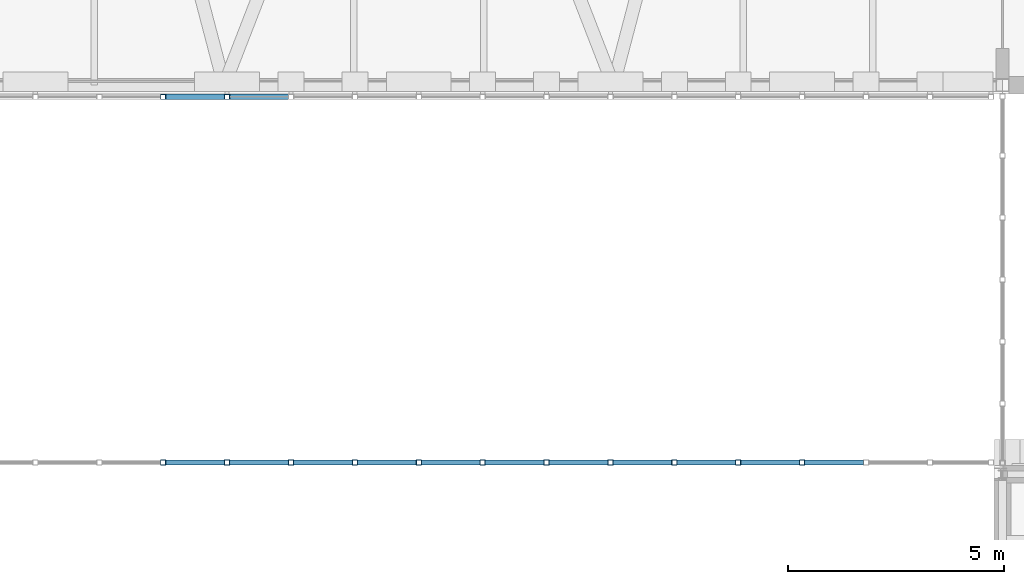
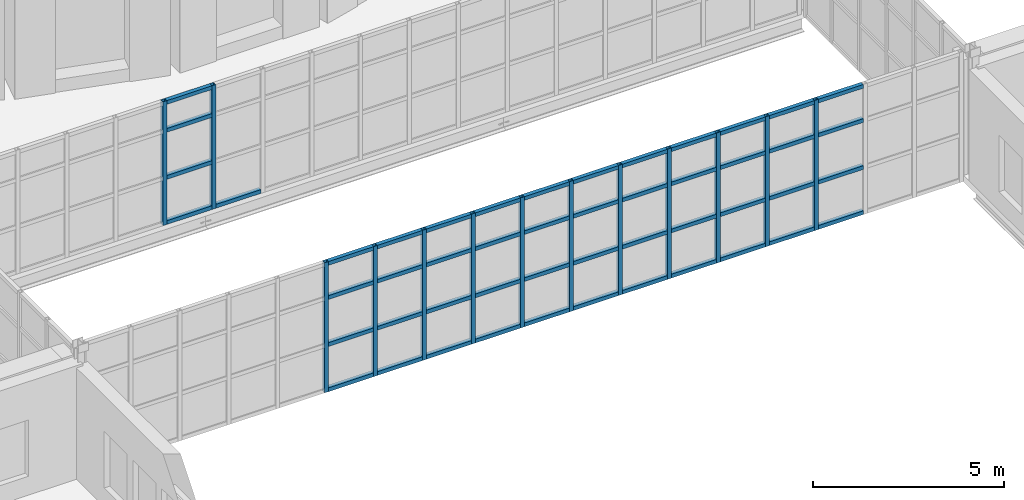
# One storey, part 42 of 154: 62 members, 2 elements without a shape of their own.
"""IFC4 building model written with IfcOpenShell, lengths in metres."""

from ifc_helpers import new_model, si_unit, direction, frame, origin, origin_2d, place, context, subcontext, project, spatial, hollow_rectangle, extrude, material, material_profile, profile_set, type_object, element, aggregate, save


model = new_model("IFC4")

# Units and contexts
model_context = context("Model", 3, precision=1e-05, world=origin(), true_north=direction((0.0, 1.0)))
body_context = subcontext(model_context, "Body", "Model", "MODEL_VIEW")
ifc_project = project(units=[si_unit("LENGTHUNIT", "METRE"), si_unit("AREAUNIT", "SQUARE_METRE"), si_unit("VOLUMEUNIT", "CUBIC_METRE"), si_unit("PLANEANGLEUNIT", "RADIAN"), si_unit("MASSUNIT", "GRAM", prefix="KILO")], contexts=[model_context])

# Site, building, storey
site_placement = place(None, origin())
site = spatial("IfcSite", under=ifc_project, at=site_placement, CompositionType="ELEMENT")
building_placement = place(site_placement, origin())
building = spatial("IfcBuilding", under=site, at=building_placement, Name="Golden Quay Civic Hall", CompositionType="ELEMENT")
storey_placement = place(building_placement, frame((0.0, 0.0, 14.39990234375)))
storey = spatial("IfcBuildingStorey", under=building, at=storey_placement, Name="L03", CompositionType="ELEMENT", Elevation=14.39990234375)

# Curtain wall, members
ifc_material_1 = material(Name="Fire-resisting glass and steel", Category="steel")
curtain_wall_type_1 = type_object("IfcCurtainWallType", Name="Fire-resisting glazed curtain wall EI 120", PredefinedType="NOTDEFINED", material=ifc_material_1)
curtain_wall_1_placement = place(storey_placement, origin())
curtain_wall_1 = element("IfcCurtainWall", 1, at=curtain_wall_1_placement, inside=storey, type_object=curtain_wall_type_1, Name="CW3 curtain wall", PredefinedType="NOTDEFINED")
ifc_material_2 = material(Name="Steel S355", Category="steel")
ifc_material_profile_1 = material_profile(ifc_material_2, hollow_rectangle(XDim=0.1201171875, YDim=0.1201171875, WallThickness=0.008056640625, at=origin_2d()), Name="SHS 120x120x8")
ifc_profile_set_1 = profile_set([ifc_material_profile_1], Name="Steel S355")
member_type_1 = type_object("IfcMemberType", Name="Fire-resisting steel mullion SHS 120x120x8", PredefinedType="MULLION", material=ifc_profile_set_1)
member_1_placement = place(storey_placement, frame((79.5888671875, 54.27001953125, -0.199951171875), z_axis=(0.0, 0.0, 1.0), x_axis=(0.0, 1.0, 0.0)))
member_1 = element("IfcMember", 2, at=member_1_placement, type_object=member_type_1, Name="CW3 mullion 6", PredefinedType="MULLION", context=body_context, shape_type="SweptSolid", body=[
    extrude(hollow_rectangle(XDim=0.1201171875, YDim=0.1201171875, WallThickness=0.008056640625, at=origin_2d()), origin(), (0.0, 0.0, 1.0), 4.150146484375),
])
member_2_placement = place(storey_placement, frame((81.066650390625, 54.27001953125, -0.199951171875), z_axis=(0.0, 0.0, 1.0), x_axis=(0.0, 1.0, 0.0)))
member_2 = element("IfcMember", 3, at=member_2_placement, type_object=member_type_1, Name="CW3 mullion 7", PredefinedType="MULLION", context=body_context, shape_type="SweptSolid", body=[
    extrude(hollow_rectangle(XDim=0.1201171875, YDim=0.1201171875, WallThickness=0.008056640625, at=origin_2d()), origin(), (0.0, 0.0, 1.0), 4.150146484375),
])
member_3_placement = place(storey_placement, frame((82.54443359375, 54.27001953125, -0.199951171875), z_axis=(0.0, 0.0, 1.0), x_axis=(0.0, 1.0, 0.0)))
member_3 = element("IfcMember", 4, at=member_3_placement, type_object=member_type_1, Name="CW3 mullion 8", PredefinedType="MULLION", context=body_context, shape_type="SweptSolid", body=[
    extrude(hollow_rectangle(XDim=0.1201171875, YDim=0.1201171875, WallThickness=0.008056640625, at=origin_2d()), origin(), (0.0, 0.0, 1.0), 4.150146484375),
])
member_4_placement = place(storey_placement, frame((84.022216796875, 54.27001953125, -0.199951171875), z_axis=(0.0, 0.0, 1.0), x_axis=(0.0, 1.0, 0.0)))
member_4 = element("IfcMember", 5, at=member_4_placement, type_object=member_type_1, Name="CW3 mullion 9", PredefinedType="MULLION", context=body_context, shape_type="SweptSolid", body=[
    extrude(hollow_rectangle(XDim=0.1201171875, YDim=0.1201171875, WallThickness=0.008056640625, at=origin_2d()), origin(), (0.0, 0.0, 1.0), 4.150146484375),
])
member_5_placement = place(storey_placement, frame((85.5, 54.27001953125, -0.199951171875), z_axis=(0.0, 0.0, 1.0), x_axis=(0.0, 1.0, 0.0)))
member_5 = element("IfcMember", 6, at=member_5_placement, type_object=member_type_1, Name="CW3 mullion 10", PredefinedType="MULLION", context=body_context, shape_type="SweptSolid", body=[
    extrude(hollow_rectangle(XDim=0.1201171875, YDim=0.1201171875, WallThickness=0.008056640625, at=origin_2d()), origin(), (0.0, 0.0, 1.0), 4.150146484375),
])
member_6_placement = place(storey_placement, frame((86.977783203125, 54.27001953125, -0.199951171875), z_axis=(0.0, 0.0, 1.0), x_axis=(0.0, 1.0, 0.0)))
member_6 = element("IfcMember", 7, at=member_6_placement, type_object=member_type_1, Name="CW3 mullion 11", PredefinedType="MULLION", context=body_context, shape_type="SweptSolid", body=[
    extrude(hollow_rectangle(XDim=0.1201171875, YDim=0.1201171875, WallThickness=0.008056640625, at=origin_2d()), origin(), (0.0, 0.0, 1.0), 4.150146484375),
])
member_7_placement = place(storey_placement, frame((88.45556640625, 54.27001953125, -0.199951171875), z_axis=(0.0, 0.0, 1.0), x_axis=(0.0, 1.0, 0.0)))
member_7 = element("IfcMember", 8, at=member_7_placement, type_object=member_type_1, Name="CW3 mullion 12", PredefinedType="MULLION", context=body_context, shape_type="SweptSolid", body=[
    extrude(hollow_rectangle(XDim=0.1201171875, YDim=0.1201171875, WallThickness=0.008056640625, at=origin_2d()), origin(), (0.0, 0.0, 1.0), 4.150146484375),
])
member_8_placement = place(storey_placement, frame((89.933349609375, 54.27001953125, -0.199951171875), z_axis=(0.0, 0.0, 1.0), x_axis=(0.0, 1.0, 0.0)))
member_8 = element("IfcMember", 9, at=member_8_placement, type_object=member_type_1, Name="CW3 mullion 13", PredefinedType="MULLION", context=body_context, shape_type="SweptSolid", body=[
    extrude(hollow_rectangle(XDim=0.1201171875, YDim=0.1201171875, WallThickness=0.008056640625, at=origin_2d()), origin(), (0.0, 0.0, 1.0), 4.150146484375),
])
member_9_placement = place(storey_placement, frame((91.4111328125, 54.27001953125, -0.199951171875), z_axis=(0.0, 0.0, 1.0), x_axis=(0.0, 1.0, 0.0)))
member_9 = element("IfcMember", 10, at=member_9_placement, type_object=member_type_1, Name="CW3 mullion 14", PredefinedType="MULLION", context=body_context, shape_type="SweptSolid", body=[
    extrude(hollow_rectangle(XDim=0.1201171875, YDim=0.1201171875, WallThickness=0.008056640625, at=origin_2d()), origin(), (0.0, 0.0, 1.0), 4.150146484375),
])
member_10_placement = place(storey_placement, frame((92.888916015625, 54.27001953125, -0.199951171875), z_axis=(0.0, 0.0, 1.0), x_axis=(0.0, 1.0, 0.0)))
member_10 = element("IfcMember", 11, at=member_10_placement, type_object=member_type_1, Name="CW3 mullion 15", PredefinedType="MULLION", context=body_context, shape_type="SweptSolid", body=[
    extrude(hollow_rectangle(XDim=0.1201171875, YDim=0.1201171875, WallThickness=0.008056640625, at=origin_2d()), origin(), (0.0, 0.0, 1.0), 4.150146484375),
])
member_11_placement = place(storey_placement, frame((94.36669921875, 54.27001953125, -0.199951171875), z_axis=(0.0, 0.0, 1.0), x_axis=(0.0, 1.0, 0.0)))
member_11 = element("IfcMember", 12, at=member_11_placement, type_object=member_type_1, Name="CW3 mullion 16", PredefinedType="MULLION", context=body_context, shape_type="SweptSolid", body=[
    extrude(hollow_rectangle(XDim=0.1201171875, YDim=0.1201171875, WallThickness=0.008056640625, at=origin_2d()), origin(), (0.0, 0.0, 1.0), 4.150146484375),
])
ifc_material_3 = material(Name="Steel S355", Category="steel")
ifc_material_profile_2 = material_profile(ifc_material_3, hollow_rectangle(XDim=0.1201171875, YDim=0.1201171875, WallThickness=0.008056640625, at=origin_2d()), Name="SHS 120x120x8")
ifc_profile_set_2 = profile_set([ifc_material_profile_2], Name="Steel S355")
member_type_2 = type_object("IfcMemberType", Name="Fire-resisting steel transom SHS 120x120x8", PredefinedType="USERDEFINED", material=ifc_profile_set_2)
member_12_placement = place(storey_placement, frame((79.64892578125, 54.27001953125, -0.139892578125), z_axis=(1.0, 0.0, 0.0), x_axis=(0.0, 1.0, 0.0)))
member_12 = element("IfcMember", 13, at=member_12_placement, type_object=member_type_2, Name="CW3 transom 6.1", ObjectType="TRANSOM", PredefinedType="USERDEFINED", context=body_context, shape_type="SweptSolid", body=[
    extrude(hollow_rectangle(XDim=0.1201171875, YDim=0.1201171875, WallThickness=0.008056640625, at=origin_2d()), origin(), (0.0, 0.0, 1.0), 1.357666015625),
])
member_13_placement = place(storey_placement, frame((79.64892578125, 54.27001953125, 1.300048828125), z_axis=(1.0, 0.0, 0.0), x_axis=(0.0, 1.0, 0.0)))
member_13 = element("IfcMember", 14, at=member_13_placement, type_object=member_type_2, Name="CW3 transom 6.2", ObjectType="TRANSOM", PredefinedType="USERDEFINED", context=body_context, shape_type="SweptSolid", body=[
    extrude(hollow_rectangle(XDim=0.1201171875, YDim=0.1201171875, WallThickness=0.008056640625, at=origin_2d()), origin(), (0.0, 0.0, 1.0), 1.357666015625),
])
member_14_placement = place(storey_placement, frame((79.64892578125, 54.27001953125, 2.800048828125), z_axis=(1.0, 0.0, 0.0), x_axis=(0.0, 1.0, 0.0)))
member_14 = element("IfcMember", 15, at=member_14_placement, type_object=member_type_2, Name="CW3 transom 6.3", ObjectType="TRANSOM", PredefinedType="USERDEFINED", context=body_context, shape_type="SweptSolid", body=[
    extrude(hollow_rectangle(XDim=0.1201171875, YDim=0.1201171875, WallThickness=0.008056640625, at=origin_2d()), origin(), (0.0, 0.0, 1.0), 1.357666015625),
])
member_15_placement = place(storey_placement, frame((79.64892578125, 54.27001953125, 3.89013671875), z_axis=(1.0, 0.0, 0.0), x_axis=(0.0, 1.0, 0.0)))
member_15 = element("IfcMember", 16, at=member_15_placement, type_object=member_type_2, Name="CW3 transom 6.4", ObjectType="TRANSOM", PredefinedType="USERDEFINED", context=body_context, shape_type="SweptSolid", body=[
    extrude(hollow_rectangle(XDim=0.1201171875, YDim=0.1201171875, WallThickness=0.008056640625, at=origin_2d()), origin(), (0.0, 0.0, 1.0), 1.357666015625),
])
member_16_placement = place(storey_placement, frame((81.126708984375, 54.27001953125, -0.139892578125), z_axis=(1.0, 0.0, 0.0), x_axis=(0.0, 1.0, 0.0)))
member_16 = element("IfcMember", 17, at=member_16_placement, type_object=member_type_2, Name="CW3 transom 7.1", ObjectType="TRANSOM", PredefinedType="USERDEFINED", context=body_context, shape_type="SweptSolid", body=[
    extrude(hollow_rectangle(XDim=0.1201171875, YDim=0.1201171875, WallThickness=0.008056640625, at=origin_2d()), origin(), (0.0, 0.0, 1.0), 1.357666015625),
])
member_17_placement = place(storey_placement, frame((81.126708984375, 54.27001953125, 1.300048828125), z_axis=(1.0, 0.0, 0.0), x_axis=(0.0, 1.0, 0.0)))
member_17 = element("IfcMember", 18, at=member_17_placement, type_object=member_type_2, Name="CW3 transom 7.2", ObjectType="TRANSOM", PredefinedType="USERDEFINED", context=body_context, shape_type="SweptSolid", body=[
    extrude(hollow_rectangle(XDim=0.1201171875, YDim=0.1201171875, WallThickness=0.008056640625, at=origin_2d()), origin(), (0.0, 0.0, 1.0), 1.357666015625),
])
member_18_placement = place(storey_placement, frame((81.126708984375, 54.27001953125, 2.800048828125), z_axis=(1.0, 0.0, 0.0), x_axis=(0.0, 1.0, 0.0)))
member_18 = element("IfcMember", 19, at=member_18_placement, type_object=member_type_2, Name="CW3 transom 7.3", ObjectType="TRANSOM", PredefinedType="USERDEFINED", context=body_context, shape_type="SweptSolid", body=[
    extrude(hollow_rectangle(XDim=0.1201171875, YDim=0.1201171875, WallThickness=0.008056640625, at=origin_2d()), origin(), (0.0, 0.0, 1.0), 1.357666015625),
])
member_19_placement = place(storey_placement, frame((81.126708984375, 54.27001953125, 3.89013671875), z_axis=(1.0, 0.0, 0.0), x_axis=(0.0, 1.0, 0.0)))
member_19 = element("IfcMember", 20, at=member_19_placement, type_object=member_type_2, Name="CW3 transom 7.4", ObjectType="TRANSOM", PredefinedType="USERDEFINED", context=body_context, shape_type="SweptSolid", body=[
    extrude(hollow_rectangle(XDim=0.1201171875, YDim=0.1201171875, WallThickness=0.008056640625, at=origin_2d()), origin(), (0.0, 0.0, 1.0), 1.357666015625),
])
member_20_placement = place(storey_placement, frame((82.6044921875, 54.27001953125, -0.139892578125), z_axis=(1.0, 0.0, 0.0), x_axis=(0.0, 1.0, 0.0)))
member_20 = element("IfcMember", 21, at=member_20_placement, type_object=member_type_2, Name="CW3 transom 8.1", ObjectType="TRANSOM", PredefinedType="USERDEFINED", context=body_context, shape_type="SweptSolid", body=[
    extrude(hollow_rectangle(XDim=0.1201171875, YDim=0.1201171875, WallThickness=0.008056640625, at=origin_2d()), origin(), (0.0, 0.0, 1.0), 1.357666015625),
])
member_21_placement = place(storey_placement, frame((82.6044921875, 54.27001953125, 1.300048828125), z_axis=(1.0, 0.0, 0.0), x_axis=(0.0, 1.0, 0.0)))
member_21 = element("IfcMember", 22, at=member_21_placement, type_object=member_type_2, Name="CW3 transom 8.2", ObjectType="TRANSOM", PredefinedType="USERDEFINED", context=body_context, shape_type="SweptSolid", body=[
    extrude(hollow_rectangle(XDim=0.1201171875, YDim=0.1201171875, WallThickness=0.008056640625, at=origin_2d()), origin(), (0.0, 0.0, 1.0), 1.357666015625),
])
member_22_placement = place(storey_placement, frame((82.6044921875, 54.27001953125, 2.800048828125), z_axis=(1.0, 0.0, 0.0), x_axis=(0.0, 1.0, 0.0)))
member_22 = element("IfcMember", 23, at=member_22_placement, type_object=member_type_2, Name="CW3 transom 8.3", ObjectType="TRANSOM", PredefinedType="USERDEFINED", context=body_context, shape_type="SweptSolid", body=[
    extrude(hollow_rectangle(XDim=0.1201171875, YDim=0.1201171875, WallThickness=0.008056640625, at=origin_2d()), origin(), (0.0, 0.0, 1.0), 1.357666015625),
])
member_23_placement = place(storey_placement, frame((82.6044921875, 54.27001953125, 3.89013671875), z_axis=(1.0, 0.0, 0.0), x_axis=(0.0, 1.0, 0.0)))
member_23 = element("IfcMember", 24, at=member_23_placement, type_object=member_type_2, Name="CW3 transom 8.4", ObjectType="TRANSOM", PredefinedType="USERDEFINED", context=body_context, shape_type="SweptSolid", body=[
    extrude(hollow_rectangle(XDim=0.1201171875, YDim=0.1201171875, WallThickness=0.008056640625, at=origin_2d()), origin(), (0.0, 0.0, 1.0), 1.357666015625),
])
member_24_placement = place(storey_placement, frame((84.082275390625, 54.27001953125, -0.139892578125), z_axis=(1.0, 0.0, 0.0), x_axis=(0.0, 1.0, 0.0)))
member_24 = element("IfcMember", 25, at=member_24_placement, type_object=member_type_2, Name="CW3 transom 9.1", ObjectType="TRANSOM", PredefinedType="USERDEFINED", context=body_context, shape_type="SweptSolid", body=[
    extrude(hollow_rectangle(XDim=0.1201171875, YDim=0.1201171875, WallThickness=0.008056640625, at=origin_2d()), origin(), (0.0, 0.0, 1.0), 1.357666015625),
])
member_25_placement = place(storey_placement, frame((84.082275390625, 54.27001953125, 1.300048828125), z_axis=(1.0, 0.0, 0.0), x_axis=(0.0, 1.0, 0.0)))
member_25 = element("IfcMember", 26, at=member_25_placement, type_object=member_type_2, Name="CW3 transom 9.2", ObjectType="TRANSOM", PredefinedType="USERDEFINED", context=body_context, shape_type="SweptSolid", body=[
    extrude(hollow_rectangle(XDim=0.1201171875, YDim=0.1201171875, WallThickness=0.008056640625, at=origin_2d()), origin(), (0.0, 0.0, 1.0), 1.357666015625),
])
member_26_placement = place(storey_placement, frame((84.082275390625, 54.27001953125, 2.800048828125), z_axis=(1.0, 0.0, 0.0), x_axis=(0.0, 1.0, 0.0)))
member_26 = element("IfcMember", 27, at=member_26_placement, type_object=member_type_2, Name="CW3 transom 9.3", ObjectType="TRANSOM", PredefinedType="USERDEFINED", context=body_context, shape_type="SweptSolid", body=[
    extrude(hollow_rectangle(XDim=0.1201171875, YDim=0.1201171875, WallThickness=0.008056640625, at=origin_2d()), origin(), (0.0, 0.0, 1.0), 1.357666015625),
])
member_27_placement = place(storey_placement, frame((84.082275390625, 54.27001953125, 3.89013671875), z_axis=(1.0, 0.0, 0.0), x_axis=(0.0, 1.0, 0.0)))
member_27 = element("IfcMember", 28, at=member_27_placement, type_object=member_type_2, Name="CW3 transom 9.4", ObjectType="TRANSOM", PredefinedType="USERDEFINED", context=body_context, shape_type="SweptSolid", body=[
    extrude(hollow_rectangle(XDim=0.1201171875, YDim=0.1201171875, WallThickness=0.008056640625, at=origin_2d()), origin(), (0.0, 0.0, 1.0), 1.357666015625),
])
member_28_placement = place(storey_placement, frame((85.56005859375, 54.27001953125, -0.139892578125), z_axis=(1.0, 0.0, 0.0), x_axis=(0.0, 1.0, 0.0)))
member_28 = element("IfcMember", 29, at=member_28_placement, type_object=member_type_2, Name="CW3 transom 10.1", ObjectType="TRANSOM", PredefinedType="USERDEFINED", context=body_context, shape_type="SweptSolid", body=[
    extrude(hollow_rectangle(XDim=0.1201171875, YDim=0.1201171875, WallThickness=0.008056640625, at=origin_2d()), origin(), (0.0, 0.0, 1.0), 1.357666015625),
])
member_29_placement = place(storey_placement, frame((85.56005859375, 54.27001953125, 1.300048828125), z_axis=(1.0, 0.0, 0.0), x_axis=(0.0, 1.0, 0.0)))
member_29 = element("IfcMember", 30, at=member_29_placement, type_object=member_type_2, Name="CW3 transom 10.2", ObjectType="TRANSOM", PredefinedType="USERDEFINED", context=body_context, shape_type="SweptSolid", body=[
    extrude(hollow_rectangle(XDim=0.1201171875, YDim=0.1201171875, WallThickness=0.008056640625, at=origin_2d()), origin(), (0.0, 0.0, 1.0), 1.357666015625),
])
member_30_placement = place(storey_placement, frame((85.56005859375, 54.27001953125, 2.800048828125), z_axis=(1.0, 0.0, 0.0), x_axis=(0.0, 1.0, 0.0)))
member_30 = element("IfcMember", 31, at=member_30_placement, type_object=member_type_2, Name="CW3 transom 10.3", ObjectType="TRANSOM", PredefinedType="USERDEFINED", context=body_context, shape_type="SweptSolid", body=[
    extrude(hollow_rectangle(XDim=0.1201171875, YDim=0.1201171875, WallThickness=0.008056640625, at=origin_2d()), origin(), (0.0, 0.0, 1.0), 1.357666015625),
])
member_31_placement = place(storey_placement, frame((85.56005859375, 54.27001953125, 3.89013671875), z_axis=(1.0, 0.0, 0.0), x_axis=(0.0, 1.0, 0.0)))
member_31 = element("IfcMember", 32, at=member_31_placement, type_object=member_type_2, Name="CW3 transom 10.4", ObjectType="TRANSOM", PredefinedType="USERDEFINED", context=body_context, shape_type="SweptSolid", body=[
    extrude(hollow_rectangle(XDim=0.1201171875, YDim=0.1201171875, WallThickness=0.008056640625, at=origin_2d()), origin(), (0.0, 0.0, 1.0), 1.357666015625),
])
member_32_placement = place(storey_placement, frame((87.037841796875, 54.27001953125, -0.139892578125), z_axis=(1.0, 0.0, 0.0), x_axis=(0.0, 1.0, 0.0)))
member_32 = element("IfcMember", 33, at=member_32_placement, type_object=member_type_2, Name="CW3 transom 11.1", ObjectType="TRANSOM", PredefinedType="USERDEFINED", context=body_context, shape_type="SweptSolid", body=[
    extrude(hollow_rectangle(XDim=0.1201171875, YDim=0.1201171875, WallThickness=0.008056640625, at=origin_2d()), origin(), (0.0, 0.0, 1.0), 1.357666015625),
])
member_33_placement = place(storey_placement, frame((87.037841796875, 54.27001953125, 1.300048828125), z_axis=(1.0, 0.0, 0.0), x_axis=(0.0, 1.0, 0.0)))
member_33 = element("IfcMember", 34, at=member_33_placement, type_object=member_type_2, Name="CW3 transom 11.2", ObjectType="TRANSOM", PredefinedType="USERDEFINED", context=body_context, shape_type="SweptSolid", body=[
    extrude(hollow_rectangle(XDim=0.1201171875, YDim=0.1201171875, WallThickness=0.008056640625, at=origin_2d()), origin(), (0.0, 0.0, 1.0), 1.357666015625),
])
member_34_placement = place(storey_placement, frame((87.037841796875, 54.27001953125, 2.800048828125), z_axis=(1.0, 0.0, 0.0), x_axis=(0.0, 1.0, 0.0)))
member_34 = element("IfcMember", 35, at=member_34_placement, type_object=member_type_2, Name="CW3 transom 11.3", ObjectType="TRANSOM", PredefinedType="USERDEFINED", context=body_context, shape_type="SweptSolid", body=[
    extrude(hollow_rectangle(XDim=0.1201171875, YDim=0.1201171875, WallThickness=0.008056640625, at=origin_2d()), origin(), (0.0, 0.0, 1.0), 1.357666015625),
])
member_35_placement = place(storey_placement, frame((87.037841796875, 54.27001953125, 3.89013671875), z_axis=(1.0, 0.0, 0.0), x_axis=(0.0, 1.0, 0.0)))
member_35 = element("IfcMember", 36, at=member_35_placement, type_object=member_type_2, Name="CW3 transom 11.4", ObjectType="TRANSOM", PredefinedType="USERDEFINED", context=body_context, shape_type="SweptSolid", body=[
    extrude(hollow_rectangle(XDim=0.1201171875, YDim=0.1201171875, WallThickness=0.008056640625, at=origin_2d()), origin(), (0.0, 0.0, 1.0), 1.357666015625),
])
member_36_placement = place(storey_placement, frame((88.515625, 54.27001953125, -0.139892578125), z_axis=(1.0, 0.0, 0.0), x_axis=(0.0, 1.0, 0.0)))
member_36 = element("IfcMember", 37, at=member_36_placement, type_object=member_type_2, Name="CW3 transom 12.1", ObjectType="TRANSOM", PredefinedType="USERDEFINED", context=body_context, shape_type="SweptSolid", body=[
    extrude(hollow_rectangle(XDim=0.1201171875, YDim=0.1201171875, WallThickness=0.008056640625, at=origin_2d()), origin(), (0.0, 0.0, 1.0), 1.357666015625),
])
member_37_placement = place(storey_placement, frame((88.515625, 54.27001953125, 1.300048828125), z_axis=(1.0, 0.0, 0.0), x_axis=(0.0, 1.0, 0.0)))
member_37 = element("IfcMember", 38, at=member_37_placement, type_object=member_type_2, Name="CW3 transom 12.2", ObjectType="TRANSOM", PredefinedType="USERDEFINED", context=body_context, shape_type="SweptSolid", body=[
    extrude(hollow_rectangle(XDim=0.1201171875, YDim=0.1201171875, WallThickness=0.008056640625, at=origin_2d()), origin(), (0.0, 0.0, 1.0), 1.357666015625),
])
member_38_placement = place(storey_placement, frame((88.515625, 54.27001953125, 2.800048828125), z_axis=(1.0, 0.0, 0.0), x_axis=(0.0, 1.0, 0.0)))
member_38 = element("IfcMember", 39, at=member_38_placement, type_object=member_type_2, Name="CW3 transom 12.3", ObjectType="TRANSOM", PredefinedType="USERDEFINED", context=body_context, shape_type="SweptSolid", body=[
    extrude(hollow_rectangle(XDim=0.1201171875, YDim=0.1201171875, WallThickness=0.008056640625, at=origin_2d()), origin(), (0.0, 0.0, 1.0), 1.357666015625),
])
member_39_placement = place(storey_placement, frame((88.515625, 54.27001953125, 3.89013671875), z_axis=(1.0, 0.0, 0.0), x_axis=(0.0, 1.0, 0.0)))
member_39 = element("IfcMember", 40, at=member_39_placement, type_object=member_type_2, Name="CW3 transom 12.4", ObjectType="TRANSOM", PredefinedType="USERDEFINED", context=body_context, shape_type="SweptSolid", body=[
    extrude(hollow_rectangle(XDim=0.1201171875, YDim=0.1201171875, WallThickness=0.008056640625, at=origin_2d()), origin(), (0.0, 0.0, 1.0), 1.357666015625),
])
member_40_placement = place(storey_placement, frame((89.993408203125, 54.27001953125, -0.139892578125), z_axis=(1.0, 0.0, 0.0), x_axis=(0.0, 1.0, 0.0)))
member_40 = element("IfcMember", 41, at=member_40_placement, type_object=member_type_2, Name="CW3 transom 13.1", ObjectType="TRANSOM", PredefinedType="USERDEFINED", context=body_context, shape_type="SweptSolid", body=[
    extrude(hollow_rectangle(XDim=0.1201171875, YDim=0.1201171875, WallThickness=0.008056640625, at=origin_2d()), origin(), (0.0, 0.0, 1.0), 1.357666015625),
])
member_41_placement = place(storey_placement, frame((89.993408203125, 54.27001953125, 1.300048828125), z_axis=(1.0, 0.0, 0.0), x_axis=(0.0, 1.0, 0.0)))
member_41 = element("IfcMember", 42, at=member_41_placement, type_object=member_type_2, Name="CW3 transom 13.2", ObjectType="TRANSOM", PredefinedType="USERDEFINED", context=body_context, shape_type="SweptSolid", body=[
    extrude(hollow_rectangle(XDim=0.1201171875, YDim=0.1201171875, WallThickness=0.008056640625, at=origin_2d()), origin(), (0.0, 0.0, 1.0), 1.357666015625),
])
member_42_placement = place(storey_placement, frame((89.993408203125, 54.27001953125, 2.800048828125), z_axis=(1.0, 0.0, 0.0), x_axis=(0.0, 1.0, 0.0)))
member_42 = element("IfcMember", 43, at=member_42_placement, type_object=member_type_2, Name="CW3 transom 13.3", ObjectType="TRANSOM", PredefinedType="USERDEFINED", context=body_context, shape_type="SweptSolid", body=[
    extrude(hollow_rectangle(XDim=0.1201171875, YDim=0.1201171875, WallThickness=0.008056640625, at=origin_2d()), origin(), (0.0, 0.0, 1.0), 1.357666015625),
])
member_43_placement = place(storey_placement, frame((89.993408203125, 54.27001953125, 3.89013671875), z_axis=(1.0, 0.0, 0.0), x_axis=(0.0, 1.0, 0.0)))
member_43 = element("IfcMember", 44, at=member_43_placement, type_object=member_type_2, Name="CW3 transom 13.4", ObjectType="TRANSOM", PredefinedType="USERDEFINED", context=body_context, shape_type="SweptSolid", body=[
    extrude(hollow_rectangle(XDim=0.1201171875, YDim=0.1201171875, WallThickness=0.008056640625, at=origin_2d()), origin(), (0.0, 0.0, 1.0), 1.357666015625),
])
member_44_placement = place(storey_placement, frame((91.47119140625, 54.27001953125, -0.139892578125), z_axis=(1.0, 0.0, 0.0), x_axis=(0.0, 1.0, 0.0)))
member_44 = element("IfcMember", 45, at=member_44_placement, type_object=member_type_2, Name="CW3 transom 14.1", ObjectType="TRANSOM", PredefinedType="USERDEFINED", context=body_context, shape_type="SweptSolid", body=[
    extrude(hollow_rectangle(XDim=0.1201171875, YDim=0.1201171875, WallThickness=0.008056640625, at=origin_2d()), origin(), (0.0, 0.0, 1.0), 1.357666015625),
])
member_45_placement = place(storey_placement, frame((91.47119140625, 54.27001953125, 1.300048828125), z_axis=(1.0, 0.0, 0.0), x_axis=(0.0, 1.0, 0.0)))
member_45 = element("IfcMember", 46, at=member_45_placement, type_object=member_type_2, Name="CW3 transom 14.2", ObjectType="TRANSOM", PredefinedType="USERDEFINED", context=body_context, shape_type="SweptSolid", body=[
    extrude(hollow_rectangle(XDim=0.1201171875, YDim=0.1201171875, WallThickness=0.008056640625, at=origin_2d()), origin(), (0.0, 0.0, 1.0), 1.357666015625),
])
member_46_placement = place(storey_placement, frame((91.47119140625, 54.27001953125, 2.800048828125), z_axis=(1.0, 0.0, 0.0), x_axis=(0.0, 1.0, 0.0)))
member_46 = element("IfcMember", 47, at=member_46_placement, type_object=member_type_2, Name="CW3 transom 14.3", ObjectType="TRANSOM", PredefinedType="USERDEFINED", context=body_context, shape_type="SweptSolid", body=[
    extrude(hollow_rectangle(XDim=0.1201171875, YDim=0.1201171875, WallThickness=0.008056640625, at=origin_2d()), origin(), (0.0, 0.0, 1.0), 1.357666015625),
])
member_47_placement = place(storey_placement, frame((91.47119140625, 54.27001953125, 3.89013671875), z_axis=(1.0, 0.0, 0.0), x_axis=(0.0, 1.0, 0.0)))
member_47 = element("IfcMember", 48, at=member_47_placement, type_object=member_type_2, Name="CW3 transom 14.4", ObjectType="TRANSOM", PredefinedType="USERDEFINED", context=body_context, shape_type="SweptSolid", body=[
    extrude(hollow_rectangle(XDim=0.1201171875, YDim=0.1201171875, WallThickness=0.008056640625, at=origin_2d()), origin(), (0.0, 0.0, 1.0), 1.357666015625),
])
member_48_placement = place(storey_placement, frame((92.948974609375, 54.27001953125, -0.139892578125), z_axis=(1.0, 0.0, 0.0), x_axis=(0.0, 1.0, 0.0)))
member_48 = element("IfcMember", 49, at=member_48_placement, type_object=member_type_2, Name="CW3 transom 15.1", ObjectType="TRANSOM", PredefinedType="USERDEFINED", context=body_context, shape_type="SweptSolid", body=[
    extrude(hollow_rectangle(XDim=0.1201171875, YDim=0.1201171875, WallThickness=0.008056640625, at=origin_2d()), origin(), (0.0, 0.0, 1.0), 1.357666015625),
])
member_49_placement = place(storey_placement, frame((92.948974609375, 54.27001953125, 1.300048828125), z_axis=(1.0, 0.0, 0.0), x_axis=(0.0, 1.0, 0.0)))
member_49 = element("IfcMember", 50, at=member_49_placement, type_object=member_type_2, Name="CW3 transom 15.2", ObjectType="TRANSOM", PredefinedType="USERDEFINED", context=body_context, shape_type="SweptSolid", body=[
    extrude(hollow_rectangle(XDim=0.1201171875, YDim=0.1201171875, WallThickness=0.008056640625, at=origin_2d()), origin(), (0.0, 0.0, 1.0), 1.357666015625),
])
member_50_placement = place(storey_placement, frame((92.948974609375, 54.27001953125, 2.800048828125), z_axis=(1.0, 0.0, 0.0), x_axis=(0.0, 1.0, 0.0)))
member_50 = element("IfcMember", 51, at=member_50_placement, type_object=member_type_2, Name="CW3 transom 15.3", ObjectType="TRANSOM", PredefinedType="USERDEFINED", context=body_context, shape_type="SweptSolid", body=[
    extrude(hollow_rectangle(XDim=0.1201171875, YDim=0.1201171875, WallThickness=0.008056640625, at=origin_2d()), origin(), (0.0, 0.0, 1.0), 1.357666015625),
])
member_51_placement = place(storey_placement, frame((92.948974609375, 54.27001953125, 3.89013671875), z_axis=(1.0, 0.0, 0.0), x_axis=(0.0, 1.0, 0.0)))
member_51 = element("IfcMember", 52, at=member_51_placement, type_object=member_type_2, Name="CW3 transom 15.4", ObjectType="TRANSOM", PredefinedType="USERDEFINED", context=body_context, shape_type="SweptSolid", body=[
    extrude(hollow_rectangle(XDim=0.1201171875, YDim=0.1201171875, WallThickness=0.008056640625, at=origin_2d()), origin(), (0.0, 0.0, 1.0), 1.357666015625),
])
member_52_placement = place(storey_placement, frame((94.4267578125, 54.27001953125, -0.139892578125), z_axis=(1.0, 0.0, 0.0), x_axis=(0.0, 1.0, 0.0)))
member_52 = element("IfcMember", 53, at=member_52_placement, type_object=member_type_2, Name="CW3 transom 16.1", ObjectType="TRANSOM", PredefinedType="USERDEFINED", context=body_context, shape_type="SweptSolid", body=[
    extrude(hollow_rectangle(XDim=0.1201171875, YDim=0.1201171875, WallThickness=0.008056640625, at=origin_2d()), origin(), (0.0, 0.0, 1.0), 1.357666015625),
])
member_53_placement = place(storey_placement, frame((94.4267578125, 54.27001953125, 1.300048828125), z_axis=(1.0, 0.0, 0.0), x_axis=(0.0, 1.0, 0.0)))
member_53 = element("IfcMember", 54, at=member_53_placement, type_object=member_type_2, Name="CW3 transom 16.2", ObjectType="TRANSOM", PredefinedType="USERDEFINED", context=body_context, shape_type="SweptSolid", body=[
    extrude(hollow_rectangle(XDim=0.1201171875, YDim=0.1201171875, WallThickness=0.008056640625, at=origin_2d()), origin(), (0.0, 0.0, 1.0), 1.357666015625),
])
member_54_placement = place(storey_placement, frame((94.4267578125, 54.27001953125, 2.800048828125), z_axis=(1.0, 0.0, 0.0), x_axis=(0.0, 1.0, 0.0)))
member_54 = element("IfcMember", 55, at=member_54_placement, type_object=member_type_2, Name="CW3 transom 16.3", ObjectType="TRANSOM", PredefinedType="USERDEFINED", context=body_context, shape_type="SweptSolid", body=[
    extrude(hollow_rectangle(XDim=0.1201171875, YDim=0.1201171875, WallThickness=0.008056640625, at=origin_2d()), origin(), (0.0, 0.0, 1.0), 1.357666015625),
])
member_55_placement = place(storey_placement, frame((94.4267578125, 54.27001953125, 3.89013671875), z_axis=(1.0, 0.0, 0.0), x_axis=(0.0, 1.0, 0.0)))
member_55 = element("IfcMember", 56, at=member_55_placement, type_object=member_type_2, Name="CW3 transom 16.4", ObjectType="TRANSOM", PredefinedType="USERDEFINED", context=body_context, shape_type="SweptSolid", body=[
    extrude(hollow_rectangle(XDim=0.1201171875, YDim=0.1201171875, WallThickness=0.008056640625, at=origin_2d()), origin(), (0.0, 0.0, 1.0), 1.357666015625),
])
aggregate(curtain_wall_1, [member_1, member_2, member_3, member_4, member_5, member_6, member_7, member_8, member_9, member_10, member_11, member_12, member_13, member_14, member_15, member_16, member_17, member_18, member_19, member_20, member_21, member_22, member_23, member_24, member_25, member_26, member_27, member_28, member_29, member_30, member_31, member_32, member_33, member_34, member_35, member_36, member_37, member_38, member_39, member_40, member_41, member_42, member_43, member_44, member_45, member_46, member_47, member_48, member_49, member_50, member_51, member_52, member_53, member_54, member_55])

ifc_material_4 = material(Name="Glass and aluminium", Category="aluminium")
curtain_wall_type_2 = type_object("IfcCurtainWallType", Name="Glazed curtain wall 1500 module", PredefinedType="NOTDEFINED", material=ifc_material_4)
curtain_wall_2_placement = place(storey_placement, origin())
curtain_wall_2 = element("IfcCurtainWall", 57, at=curtain_wall_2_placement, inside=storey, type_object=curtain_wall_type_2, Name="CW1 curtain wall", PredefinedType="NOTDEFINED")
ifc_material_5 = material(Name="Steel S355", Category="steel")
ifc_material_profile_3 = material_profile(ifc_material_5, hollow_rectangle(XDim=0.1201171875, YDim=0.1201171875, WallThickness=0.008056640625, at=origin_2d()), Name="SHS 120x120x8")
ifc_profile_set_3 = profile_set([ifc_material_profile_3], Name="Steel S355")
member_type_3 = type_object("IfcMemberType", Name="Steel mullion SHS 120x120x8", PredefinedType="MULLION", material=ifc_profile_set_3)
member_56_placement = place(storey_placement, frame((79.5888671875, 62.72998046875, 0.0), z_axis=(0.0, 0.0, 1.0), x_axis=(0.0, 1.0, 0.0)))
member_56 = element("IfcMember", 58, at=member_56_placement, type_object=member_type_3, Name="CW1 mullion 6", PredefinedType="MULLION", context=body_context, shape_type="SweptSolid", body=[
    extrude(hollow_rectangle(XDim=0.1201171875, YDim=0.1201171875, WallThickness=0.008056640625, at=origin_2d()), origin(), (0.0, 0.0, 1.0), 3.9501953125),
])
member_57_placement = place(storey_placement, frame((81.066650390625, 62.72998046875, 0.0), z_axis=(0.0, 0.0, 1.0), x_axis=(0.0, 1.0, 0.0)))
member_57 = element("IfcMember", 59, at=member_57_placement, type_object=member_type_3, Name="CW1 mullion 7", PredefinedType="MULLION", context=body_context, shape_type="SweptSolid", body=[
    extrude(hollow_rectangle(XDim=0.1201171875, YDim=0.1201171875, WallThickness=0.008056640625, at=origin_2d()), origin(), (0.0, 0.0, 1.0), 3.9501953125),
])
ifc_material_6 = material(Name="Steel S355", Category="steel")
ifc_material_profile_4 = material_profile(ifc_material_6, hollow_rectangle(XDim=0.1201171875, YDim=0.1201171875, WallThickness=0.008056640625, at=origin_2d()), Name="SHS 120x120x8")
ifc_profile_set_4 = profile_set([ifc_material_profile_4], Name="Steel S355")
member_type_4 = type_object("IfcMemberType", Name="Steel transom SHS 120x120x8", PredefinedType="USERDEFINED", material=ifc_profile_set_4)
member_58_placement = place(storey_placement, frame((79.64892578125, 62.72998046875, 0.06005859375), z_axis=(1.0, 0.0, 0.0), x_axis=(0.0, 1.0, 0.0)))
member_58 = element("IfcMember", 60, at=member_58_placement, type_object=member_type_4, Name="CW1 transom 6.1", ObjectType="TRANSOM", PredefinedType="USERDEFINED", context=body_context, shape_type="SweptSolid", body=[
    extrude(hollow_rectangle(XDim=0.1201171875, YDim=0.1201171875, WallThickness=0.008056640625, at=origin_2d()), origin(), (0.0, 0.0, 1.0), 1.357666015625),
])
member_59_placement = place(storey_placement, frame((79.64892578125, 62.72998046875, 1.5), z_axis=(1.0, 0.0, 0.0), x_axis=(0.0, 1.0, 0.0)))
member_59 = element("IfcMember", 61, at=member_59_placement, type_object=member_type_4, Name="CW1 transom 6.2", ObjectType="TRANSOM", PredefinedType="USERDEFINED", context=body_context, shape_type="SweptSolid", body=[
    extrude(hollow_rectangle(XDim=0.1201171875, YDim=0.1201171875, WallThickness=0.008056640625, at=origin_2d()), origin(), (0.0, 0.0, 1.0), 1.357666015625),
])
member_60_placement = place(storey_placement, frame((79.64892578125, 62.72998046875, 3.0), z_axis=(1.0, 0.0, 0.0), x_axis=(0.0, 1.0, 0.0)))
member_60 = element("IfcMember", 62, at=member_60_placement, type_object=member_type_4, Name="CW1 transom 6.3", ObjectType="TRANSOM", PredefinedType="USERDEFINED", context=body_context, shape_type="SweptSolid", body=[
    extrude(hollow_rectangle(XDim=0.1201171875, YDim=0.1201171875, WallThickness=0.008056640625, at=origin_2d()), origin(), (0.0, 0.0, 1.0), 1.357666015625),
])
member_61_placement = place(storey_placement, frame((79.64892578125, 62.72998046875, 3.89013671875), z_axis=(1.0, 0.0, 0.0), x_axis=(0.0, 1.0, 0.0)))
member_61 = element("IfcMember", 63, at=member_61_placement, type_object=member_type_4, Name="CW1 transom 6.4", ObjectType="TRANSOM", PredefinedType="USERDEFINED", context=body_context, shape_type="SweptSolid", body=[
    extrude(hollow_rectangle(XDim=0.1201171875, YDim=0.1201171875, WallThickness=0.008056640625, at=origin_2d()), origin(), (0.0, 0.0, 1.0), 1.357666015625),
])
member_62_placement = place(storey_placement, frame((81.126708984375, 62.72998046875, 0.06005859375), z_axis=(1.0, 0.0, 0.0), x_axis=(0.0, 1.0, 0.0)))
member_62 = element("IfcMember", 64, at=member_62_placement, type_object=member_type_4, Name="CW1 transom 7.1", ObjectType="TRANSOM", PredefinedType="USERDEFINED", context=body_context, shape_type="SweptSolid", body=[
    extrude(hollow_rectangle(XDim=0.1201171875, YDim=0.1201171875, WallThickness=0.008056640625, at=origin_2d()), origin(), (0.0, 0.0, 1.0), 1.357666015625),
])
aggregate(curtain_wall_2, [member_56, member_57, member_58, member_59, member_60, member_61, member_62])

save(model, "model.ifc")
